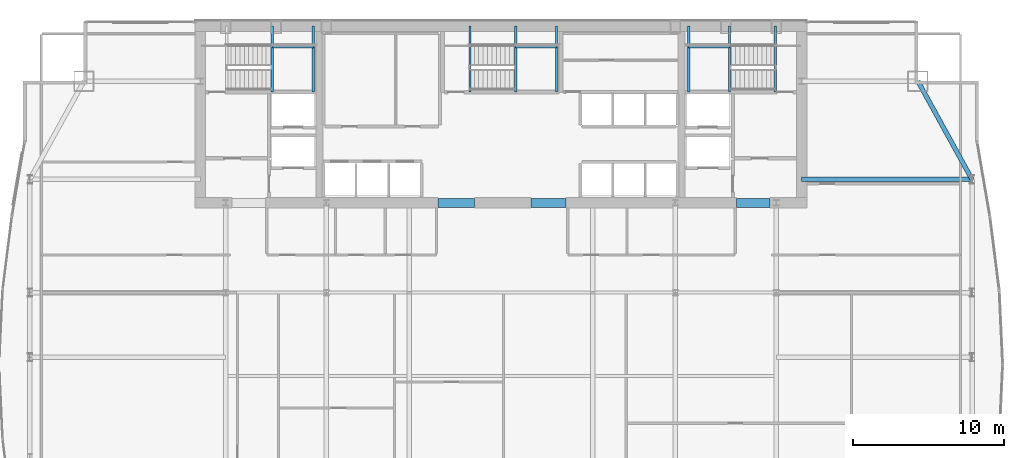
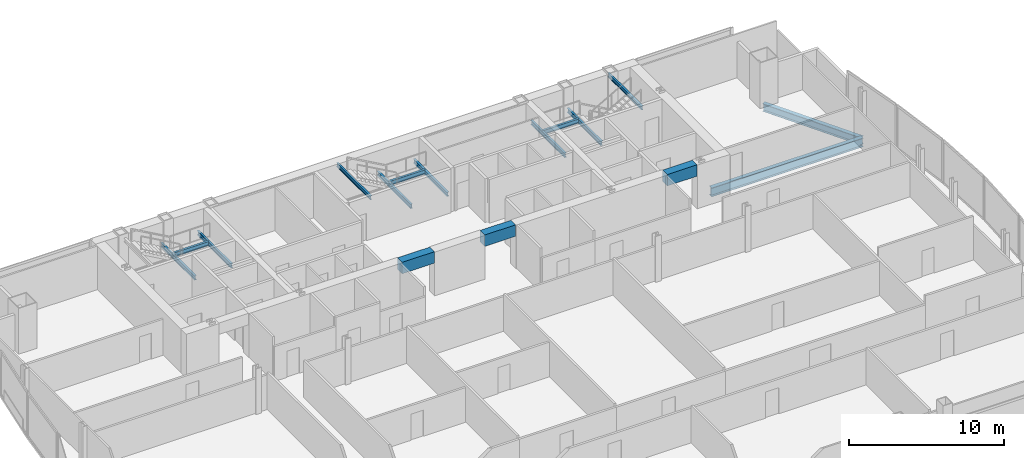
# One storey, part 19 of 29: 16 beams.
"""IFC4 building model written with IfcOpenShell, lengths in metres."""

from ifc_helpers import new_model, si_unit, direction, frame, origin, origin_2d, place, context, subcontext, project, spatial, rectangle, i_section, extrude, material, material_profile, profile_set, type_object, element, save


model = new_model("IFC4")

# Units and contexts
model_context = context("Model", 3, precision=1e-05, world=origin(), true_north=direction((0.0, 1.0)))
body_context = subcontext(model_context, "Body", "Model", "MODEL_VIEW")
ifc_project = project(units=[si_unit("LENGTHUNIT", "METRE"), si_unit("AREAUNIT", "SQUARE_METRE"), si_unit("VOLUMEUNIT", "CUBIC_METRE"), si_unit("PLANEANGLEUNIT", "RADIAN"), si_unit("MASSUNIT", "GRAM", prefix="KILO")], contexts=[model_context])

# Site, building, storey
site_placement = place(None, origin())
site = spatial("IfcSite", under=ifc_project, at=site_placement, CompositionType="ELEMENT")
building_placement = place(site_placement, origin())
building = spatial("IfcBuilding", under=site, at=building_placement, Name="Khoronbel Lancet Exchange", CompositionType="ELEMENT")
storey_placement = place(building_placement, frame((0.0, 0.0, 150.60009765625)))
storey = spatial("IfcBuildingStorey", under=building, at=storey_placement, Name="L37", CompositionType="ELEMENT", Elevation=150.60009765625)

# Beams
ifc_material_1 = material(Name="Steel S355", Category="steel")
ifc_material_profile_1 = material_profile(ifc_material_1, i_section(OverallWidth=0.300048828125, OverallDepth=0.699951171875, WebThickness=0.01708984375, FlangeThickness=0.031982421875, at=origin_2d()), Name="HEB 700")
ifc_profile_set_1 = profile_set([ifc_material_profile_1], Name="Steel S355")
beam_type_1 = type_object("IfcBeamType", Name="BM-BG3", PredefinedType="BEAM", material=ifc_profile_set_1)
beam_1_placement = place(storey_placement, frame((56.35009765625, 43.199951171875, -0.510009765625), z_axis=(1.0, 0.0, 0.0), x_axis=(0.0, 1.0, 0.0)))
element("IfcBeam", 1, at=beam_1_placement, inside=storey, type_object=beam_type_1, Name="Level L37 east lens tie girder LG3E", PredefinedType="BEAM", context=body_context, shape_type="SweptSolid", body=[
    extrude(i_section(OverallWidth=0.300048828125, OverallDepth=0.699951171875, WebThickness=0.01708984375, FlangeThickness=0.031982421875, at=origin_2d()), origin(), (0.0, 0.0, 1.0), 11.27978515625),
])
ifc_material_profile_2 = material_profile(ifc_material_1, i_section(OverallWidth=0.159912109375, OverallDepth=0.330078125, WebThickness=0.007568359375, FlangeThickness=0.011474609375, at=origin_2d()), Name="IPE 330")
ifc_profile_set_2 = profile_set([ifc_material_profile_2], Name="Steel S355")
beam_type_2 = type_object("IfcBeamType", Name="BM-BJ7", PredefinedType="JOIST", material=ifc_profile_set_2)
for number, where, z_axis, x_axis, name in (
    (2, (21.320068359375, 48.97998046875, 1.434814453125), (0.0, 1.0, 0.0), (-1.0, 0.0, 0.0), "Level L37 stair ST1 landing bearer beam 1"),
    (3, (24.030029296875, 48.97998046875, 1.434814453125), (0.0, 1.0, 0.0), (-1.0, 0.0, 0.0), "Level L37 stair ST1 rear landing bearer beam 1"),
):
    element("IfcBeam", number, at=place(storey_placement, frame(where, z_axis=z_axis, x_axis=x_axis)), inside=storey, type_object=beam_type_2, Name=name, PredefinedType="JOIST", context=body_context, shape_type="SweptSolid", body=[
        extrude(i_section(OverallWidth=0.159912109375, OverallDepth=0.330078125, WebThickness=0.007568359375, FlangeThickness=0.011474609375, at=origin_2d()), origin(), (0.0, 0.0, 1.0), 4.3701171875),
    ])
beam_2_placement = place(storey_placement, frame((21.320068359375, 51.97998046875, 1.434814453125), z_axis=(1.0, 0.0, 0.0), x_axis=(0.0, 1.0, 0.0)))
element("IfcBeam", 4, at=beam_2_placement, inside=storey, type_object=beam_type_2, Name="Level L37 stair ST1 landing cross trimmer beam 1", PredefinedType="JOIST", context=body_context, shape_type="SweptSolid", body=[
    extrude(i_section(OverallWidth=0.159912109375, OverallDepth=0.330078125, WebThickness=0.007568359375, FlangeThickness=0.011474609375, at=origin_2d()), origin(), (0.0, 0.0, 1.0), 2.7099609375),
])
for number, where, z_axis, x_axis, name in (
    (5, (51.580078125, 48.97998046875, 1.434814453125), (0.0, 1.0, 0.0), (-1.0, 0.0, 0.0), "Level L37 stair ST2 landing bearer beam 1"),
    (6, (48.8701171875, 48.97998046875, 1.434814453125), (0.0, 1.0, 0.0), (-1.0, 0.0, 0.0), "Level L37 stair ST2 rear landing bearer beam 1"),
):
    element("IfcBeam", number, at=place(storey_placement, frame(where, z_axis=z_axis, x_axis=x_axis)), inside=storey, type_object=beam_type_2, Name=name, PredefinedType="JOIST", context=body_context, shape_type="SweptSolid", body=[
        extrude(i_section(OverallWidth=0.159912109375, OverallDepth=0.330078125, WebThickness=0.007568359375, FlangeThickness=0.011474609375, at=origin_2d()), origin(), (0.0, 0.0, 1.0), 4.3701171875),
    ])
beam_3_placement = place(storey_placement, frame((48.8701171875, 51.97998046875, 1.434814453125), z_axis=(1.0, 0.0, 0.0), x_axis=(0.0, 1.0, 0.0)))
element("IfcBeam", 7, at=beam_3_placement, inside=storey, type_object=beam_type_2, Name="Level L37 stair ST2 landing cross trimmer beam 1", PredefinedType="JOIST", context=body_context, shape_type="SweptSolid", body=[
    extrude(i_section(OverallWidth=0.159912109375, OverallDepth=0.330078125, WebThickness=0.007568359375, FlangeThickness=0.011474609375, at=origin_2d()), origin(), (0.0, 0.0, 1.0), 2.7099609375),
])
for number, where, z_axis, x_axis, name in (
    (8, (37.419921875, 48.97998046875, 1.434814453125), (0.0, 1.0, 0.0), (-1.0, 0.0, 0.0), "Level L37 stair ST3 landing bearer beam 1"),
    (9, (40.1298828125, 48.97998046875, 1.434814453125), (0.0, 1.0, 0.0), (-1.0, 0.0, 0.0), "Level L37 stair ST3 rear landing bearer beam 1"),
):
    element("IfcBeam", number, at=place(storey_placement, frame(where, z_axis=z_axis, x_axis=x_axis)), inside=storey, type_object=beam_type_2, Name=name, PredefinedType="JOIST", context=body_context, shape_type="SweptSolid", body=[
        extrude(i_section(OverallWidth=0.159912109375, OverallDepth=0.330078125, WebThickness=0.007568359375, FlangeThickness=0.011474609375, at=origin_2d()), origin(), (0.0, 0.0, 1.0), 4.3701171875),
    ])
beam_4_placement = place(storey_placement, frame((37.419921875, 51.97998046875, 1.434814453125), z_axis=(1.0, 0.0, 0.0), x_axis=(0.0, 1.0, 0.0)))
element("IfcBeam", 10, at=beam_4_placement, inside=storey, type_object=beam_type_2, Name="Level L37 stair ST3 landing cross trimmer beam 1", PredefinedType="JOIST", context=body_context, shape_type="SweptSolid", body=[
    extrude(i_section(OverallWidth=0.159912109375, OverallDepth=0.330078125, WebThickness=0.007568359375, FlangeThickness=0.011474609375, at=origin_2d()), origin(), (0.0, 0.0, 1.0), 2.7099609375),
])
ifc_material_profile_3 = material_profile(ifc_material_1, i_section(OverallWidth=0.14990234375, OverallDepth=0.300048828125, WebThickness=0.007080078125, FlangeThickness=0.0107421875, at=origin_2d()), Name="IPE 300")
ifc_profile_set_3 = profile_set([ifc_material_profile_3], Name="Steel S355")
beam_type_3 = type_object("IfcBeamType", Name="BM-BJ8", PredefinedType="JOIST", material=ifc_profile_set_3)
for number, where, z_axis, x_axis, name in (
    (11, (54.60009765625, 48.97998046875, 3.159912109375), (0.0, 1.0, 0.0), (-1.0, 0.0, 0.0), "Level L37 stair ST2 upper-flight arrival trimmer beam"),
    (12, (34.39990234375, 48.97998046875, 3.159912109375), (0.0, 1.0, 0.0), (-1.0, 0.0, 0.0), "Level L37 stair ST3 upper-flight arrival trimmer beam"),
):
    element("IfcBeam", number, at=place(storey_placement, frame(where, z_axis=z_axis, x_axis=x_axis)), inside=storey, type_object=beam_type_3, Name=name, PredefinedType="JOIST", context=body_context, shape_type="SweptSolid", body=[
        extrude(i_section(OverallWidth=0.14990234375, OverallDepth=0.300048828125, WebThickness=0.007080078125, FlangeThickness=0.0107421875, at=origin_2d()), origin(), (0.0, 0.0, 1.0), 4.3701171875),
    ])
ifc_material_2 = material(Name="Concrete C80/95", Category="concrete")
ifc_material_profile_4 = material_profile(ifc_material_2, rectangle(XDim=0.60009765625, YDim=0.89990234375, at=origin_2d()), Name="RC 600x900")
ifc_profile_set_4 = profile_set([ifc_material_profile_4], Name="Concrete C80/95")
beam_type_4 = type_object("IfcBeamType", Name="BM-BL1", PredefinedType="LINTEL", material=ifc_profile_set_4)
beam_5_placement = place(storey_placement, frame((32.300048828125, 41.64990234375, 2.989990234375), z_axis=(1.0, 0.0, 0.0), x_axis=(0.0, 1.0, 0.0)))
element("IfcBeam", 13, at=beam_5_placement, inside=storey, type_object=beam_type_4, Name="Level L37 rear core coupling lintel L2", PredefinedType="LINTEL", context=body_context, shape_type="SweptSolid", body=[
    extrude(rectangle(XDim=0.60009765625, YDim=0.89990234375, at=origin_2d()), origin(), (0.0, 0.0, 1.0), 2.39990234375),
])
beam_6_placement = place(storey_placement, frame((38.449951171875, 41.64990234375, 2.989990234375), z_axis=(1.0, 0.0, 0.0), x_axis=(0.0, 1.0, 0.0)))
element("IfcBeam", 14, at=beam_6_placement, inside=storey, type_object=beam_type_4, Name="Level L37 rear core coupling lintel L3", PredefinedType="LINTEL", context=body_context, shape_type="SweptSolid", body=[
    extrude(rectangle(XDim=0.60009765625, YDim=0.89990234375, at=origin_2d()), origin(), (0.0, 0.0, 1.0), 2.300048828125),
])
beam_7_placement = place(storey_placement, frame((52.050048828125, 41.64990234375, 2.989990234375), z_axis=(1.0, 0.0, 0.0), x_axis=(0.0, 1.0, 0.0)))
element("IfcBeam", 15, at=beam_7_placement, inside=storey, type_object=beam_type_4, Name="Level L37 rear core coupling lintel L4", PredefinedType="LINTEL", context=body_context, shape_type="SweptSolid", body=[
    extrude(rectangle(XDim=0.60009765625, YDim=0.89990234375, at=origin_2d()), origin(), (0.0, 0.0, 1.0), 2.199951171875),
])
ifc_material_profile_5 = material_profile(ifc_material_1, i_section(OverallWidth=0.300048828125, OverallDepth=0.60009765625, WebThickness=0.015380859375, FlangeThickness=0.030029296875, at=origin_2d()), Name="HEB 600")
ifc_profile_set_5 = profile_set([ifc_material_profile_5], Name="Steel S355")
beam_type_5 = type_object("IfcBeamType", Name="BM-BSP2", PredefinedType="SPANDREL", material=ifc_profile_set_5)
beam_8_placement = place(storey_placement, frame((67.6298828125, 43.199951171875, -0.460205078125), z_axis=(-0.482418808117, 0.875940690672, 0.0), x_axis=(-0.875940690672, -0.482418808117, 0.0)))
element("IfcBeam", 16, at=beam_8_placement, inside=storey, type_object=beam_type_5, Name="Level L37 perimeter spandrel beam SP15", PredefinedType="SPANDREL", context=body_context, shape_type="SweptSolid", body=[
    extrude(i_section(OverallWidth=0.300048828125, OverallDepth=0.60009765625, WebThickness=0.015380859375, FlangeThickness=0.030029296875, at=origin_2d()), origin(), (0.0, 0.0, 1.0), 7.420654296875),
])

save(model, "model.ifc")
